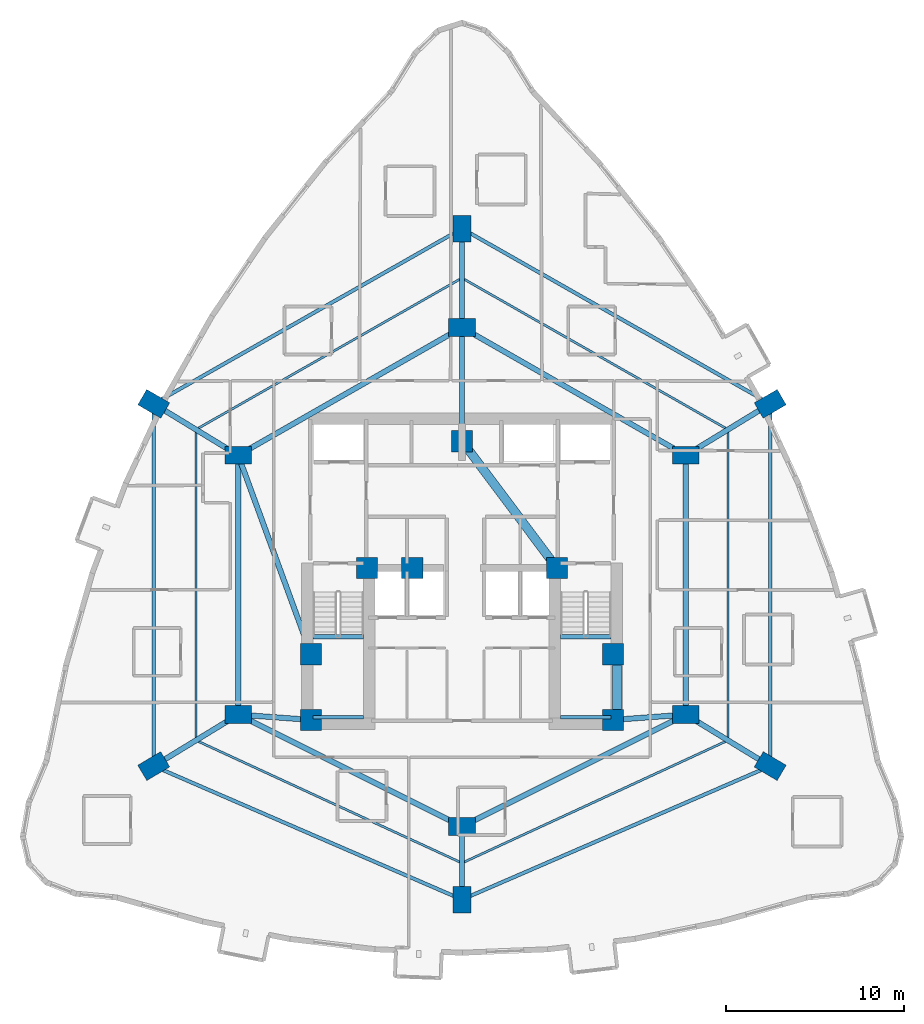
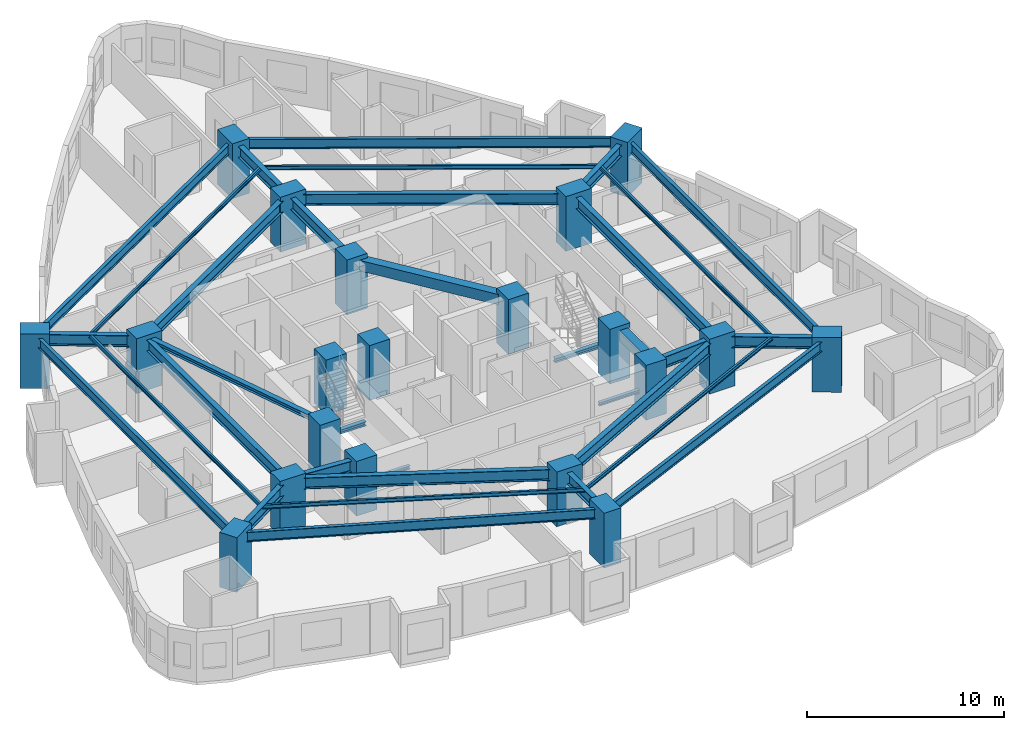
# One storey, part 1 of 13: 34 beams, 20 columns.
"""IFC4 building model written with IfcOpenShell, lengths in metres."""

from ifc_helpers import new_model, si_unit, direction, frame, origin, origin_2d, place, context, subcontext, project, spatial, rectangle, i_section, extrude, material, material_profile, profile_set, type_object, element, save


model = new_model("IFC4")

# Units and contexts
model_context = context("Model", 3, precision=1e-05, world=origin(), true_north=direction((0.0, 1.0)))
body_context = subcontext(model_context, "Body", "Model", "MODEL_VIEW")
ifc_project = project(units=[si_unit("LENGTHUNIT", "METRE"), si_unit("AREAUNIT", "SQUARE_METRE"), si_unit("VOLUMEUNIT", "CUBIC_METRE"), si_unit("PLANEANGLEUNIT", "RADIAN"), si_unit("MASSUNIT", "GRAM", prefix="KILO")], contexts=[model_context])

# Site, building, storey
site_placement = place(None, origin())
site = spatial("IfcSite", under=ifc_project, at=site_placement, CompositionType="ELEMENT")
building_placement = place(site_placement, origin())
building = spatial("IfcBuilding", under=site, at=building_placement, Name="Miruveldt Soraemaru", CompositionType="ELEMENT")
storey_placement = place(building_placement, frame((0.0, 0.0, 46.199951171875)))
storey = spatial("IfcBuildingStorey", under=building, at=storey_placement, Name="L12", CompositionType="ELEMENT", Elevation=46.199951171875)

# Columns
ifc_material_1 = material(Name="Concrete C70/85 (70 MPa)", Category="concrete")
ifc_material_profile_1 = material_profile(ifc_material_1, rectangle(XDim=1.199951171875, YDim=1.199951171875, at=origin_2d()), Name="Concrete C70/85 (70 MPa)", Category="concrete")
ifc_profile_set_1 = profile_set([ifc_material_profile_1], Name="Concrete C70/85 (70 MPa)")
column_type_1 = type_object("IfcColumnType", Name="COL-CORE-1200", PredefinedType="COLUMN", material=ifc_profile_set_1)
for number, where, z_axis, x_axis, name in (
    (1, (35.5, 35.5, 0.0), (0.0, 0.0, 1.0), (1.0, 0.0, 0.0), "L12 Structural Column CC1"),
    (2, (38.64990234375, 44.050048828125, 0.0), (0.0, 0.0, 1.0), (1.0, 0.0, 0.0), "L12 Structural Column CC2"),
    (3, (52.5, 35.5, 0.0), (0.0, 0.0, 1.0), (1.0, 0.0, 0.0), "L12 Structural Column CC3"),
    (4, (52.5, 39.199951171875, 0.0), (0.0, 0.0, 1.0), (1.0, 0.0, 0.0), "L12 Structural Column CC4"),
    (5, (49.35009765625, 44.050048828125, 0.0), (0.0, 0.0, 1.0), (1.0, 0.0, 0.0), "L12 Structural Column CC5"),
    (6, (44.0, 51.199951171875, 0.0), (0.0, 0.0, 1.0), (1.0, 0.0, 0.0), "L12 Structural Column CC6"),
    (7, (35.5, 39.199951171875, 0.0), (0.0, 0.0, 1.0), (1.0, 0.0, 0.0), "L12 Structural Column CC7"),
    (8, (41.199951171875, 44.050048828125, 0.0), (0.0, 0.0, 1.0), (1.0, 0.0, 0.0), "L12 Structural Column CC8"),
):
    element("IfcColumn", number, at=place(storey_placement, frame(where, z_axis=z_axis, x_axis=x_axis)), inside=storey, type_object=column_type_1, Name=name, PredefinedType="COLUMN", context=body_context, shape_type="SweptSolid", body=[
        extrude(rectangle(XDim=1.199951171875, YDim=1.199951171875, at=origin_2d()), origin(), (0.0, 0.0, 1.0), 3.400146484375),
    ])
ifc_material_2 = material(Name="Concrete C80/95 (80 MPa)", Category="concrete")
ifc_material_profile_2 = material_profile(ifc_material_2, rectangle(XDim=1.5, YDim=1.0, at=origin_2d()), Name="Concrete C80/95 (80 MPa)", Category="concrete")
ifc_profile_set_2 = profile_set([ifc_material_profile_2], Name="Concrete C80/95 (80 MPa)")
column_type_2 = type_object("IfcColumnType", Name="COL-TW-Z1A", PredefinedType="COLUMN", material=ifc_profile_set_2)
for number, where, z_axis, x_axis, name in (
    (9, (44.0, 57.60009765625, 0.0), (0.0, 0.0, 1.0), (1.0, 0.0, 0.0), "L12 Structural Column IR01"),
    (10, (56.60009765625, 50.39990234375, 0.0), (0.0, 0.0, 1.0), (1.0, 0.0, 0.0), "L12 Structural Column IR02"),
    (11, (56.60009765625, 35.800048828125, 0.0), (0.0, 0.0, 1.0), (1.0, 0.0, 0.0), "L12 Structural Column IR03"),
    (12, (44.0, 29.5, 0.0), (0.0, 0.0, 1.0), (1.0, 0.0, 0.0), "L12 Structural Column IR04"),
    (13, (31.39990234375, 35.800048828125, 0.0), (0.0, 0.0, 1.0), (1.0, 0.0, 0.0), "L12 Structural Column IR05"),
    (14, (31.39990234375, 50.39990234375, 0.0), (0.0, 0.0, 1.0), (1.0, 0.0, 0.0), "L12 Structural Column IR06"),
    (15, (44.0, 63.16796875, 0.0), (0.0, 0.0, 1.0), (0.0, 1.0, 0.0), "L12 Structural Column Z1P01"),
    (16, (61.35595703125, 53.300048828125, 0.0), (0.0, 0.0, 1.0), (0.864274801954, 0.50301994663, 0.0), "L12 Structural Column Z1P02"),
    (17, (61.35595703125, 32.89990234375, 0.0), (0.0, 0.0, 1.0), (-0.859852271597, 0.510542917912, 0.0), "L12 Structural Column Z1P03"),
    (18, (44.0, 25.382080078125, 0.0), (0.0, 0.0, 1.0), (0.0, 1.0, 0.0), "L12 Structural Column Z1P04"),
    (19, (26.64404296875, 32.89990234375, 0.0), (0.0, 0.0, 1.0), (0.859852271597, 0.510542917912, 0.0), "L12 Structural Column Z1P05"),
    (20, (26.64404296875, 53.300048828125, 0.0), (0.0, 0.0, 1.0), (-0.864274801954, 0.50301994663, 0.0), "L12 Structural Column Z1P06"),
):
    element("IfcColumn", number, at=place(storey_placement, frame(where, z_axis=z_axis, x_axis=x_axis)), inside=storey, type_object=column_type_2, Name=name, PredefinedType="COLUMN", context=body_context, shape_type="SweptSolid", body=[
        extrude(rectangle(XDim=1.5, YDim=1.0, at=origin_2d()), origin(), (0.0, 0.0, 1.0), 3.400146484375),
    ])

# Beams
ifc_material_3 = material(Name="Steel SM355 (355 MPa)", Category="steel")
ifc_material_profile_3 = material_profile(ifc_material_3, i_section(OverallWidth=0.300048828125, OverallDepth=0.300048828125, WebThickness=0.010009765625, FlangeThickness=0.014892578125, FilletRadius=0.01806640625, at=origin_2d()), Name="Steel SM355 (355 MPa)", Category="steel")
ifc_profile_set_3 = profile_set([ifc_material_profile_3], Name="Steel SM355 (355 MPa)")
beam_type_1 = type_object("IfcBeamType", Name="BM-LNT-H300", PredefinedType="LINTEL", material=ifc_profile_set_3)
beam_1_placement = place(storey_placement, frame((31.39990234375, 50.39990234375, 2.97509765625), z_axis=(0.343770424598, -0.939053723262, 0.0), x_axis=(0.939053723262, 0.343770424598, 0.0)))
element("IfcBeam", 21, at=beam_1_placement, inside=storey, type_object=beam_type_1, Name="L12 West Lobby Lintel", PredefinedType="LINTEL", context=body_context, shape_type="SweptSolid", body=[
    extrude(i_section(OverallWidth=0.300048828125, OverallDepth=0.300048828125, WebThickness=0.010009765625, FlangeThickness=0.014892578125, FilletRadius=0.01806640625, at=origin_2d()), origin(), (0.0, 0.0, 1.0), 11.9267578125),
])
ifc_material_4 = material(Name="Concrete C50/60 (50 MPa)", Category="concrete")
ifc_material_profile_4 = material_profile(ifc_material_4, rectangle(XDim=0.5, YDim=0.64990234375, at=origin_2d()), Name="Concrete C50/60 (50 MPa)", Category="concrete")
ifc_profile_set_4 = profile_set([ifc_material_profile_4], Name="Concrete C50/60 (50 MPa)")
beam_type_2 = type_object("IfcBeamType", Name="BM-RC-500x650", PredefinedType="BEAM", material=ifc_profile_set_4)
beam_2_placement = place(storey_placement, frame((52.72998046875, 35.5, 2.800048828125), z_axis=(0.0, 1.0, 0.0), x_axis=(-1.0, 0.0, 0.0)))
element("IfcBeam", 22, at=beam_2_placement, inside=storey, type_object=beam_type_2, Name="L12 Core Tie Beam 3", PredefinedType="BEAM", context=body_context, shape_type="SweptSolid", body=[
    extrude(rectangle(XDim=0.5, YDim=0.64990234375, at=origin_2d()), origin(), (0.0, 0.0, 1.0), 3.699951171875),
])
beam_3_placement = place(storey_placement, frame((49.35009765625, 44.050048828125, 2.800048828125), z_axis=(-0.599116023999, 0.800662219533, 0.0), x_axis=(-0.800662219533, -0.599116023999, 0.0)))
element("IfcBeam", 23, at=beam_3_placement, inside=storey, type_object=beam_type_2, Name="L12 Core Tie Beam 5", PredefinedType="BEAM", context=body_context, shape_type="SweptSolid", body=[
    extrude(rectangle(XDim=0.5, YDim=0.64990234375, at=origin_2d()), origin(), (0.0, 0.0, 1.0), 8.929931640625),
])
ifc_material_profile_5 = material_profile(ifc_material_3, i_section(OverallWidth=0.125, OverallDepth=0.25, WebThickness=0.006103515625, FlangeThickness=0.009033203125, FilletRadius=0.011962890625, at=origin_2d()), Name="Steel SM355 (355 MPa)", Category="steel")
ifc_profile_set_5 = profile_set([ifc_material_profile_5], Name="Steel SM355 (355 MPa)")
beam_type_3 = type_object("IfcBeamType", Name="BM-ST-H250", PredefinedType="JOIST", material=ifc_profile_set_5)
beam_4_placement = place(storey_placement, frame((44.0, 60.384033203125, 3.0), z_axis=(0.868865604585, -0.495048039254, 0.0), x_axis=(0.495048039254, 0.868865604585, 0.0)))
element("IfcBeam", 24, at=beam_4_placement, inside=storey, type_object=beam_type_3, Name="L12 Outer Bay Floor Joist 1", PredefinedType="JOIST", context=body_context, shape_type="SweptSolid", body=[
    extrude(i_section(OverallWidth=0.125, OverallDepth=0.25, WebThickness=0.006103515625, FlangeThickness=0.009033203125, FilletRadius=0.011962890625, at=origin_2d()), origin(), (0.0, 0.0, 1.0), 17.238525390625),
])
beam_5_placement = place(storey_placement, frame((58.97802734375, 51.85009765625, 3.0), z_axis=(0.0, -1.0, 0.0), x_axis=(1.0, 0.0, 0.0)))
element("IfcBeam", 25, at=beam_5_placement, inside=storey, type_object=beam_type_3, Name="L12 Outer Bay Floor Joist 2", PredefinedType="JOIST", context=body_context, shape_type="SweptSolid", body=[
    extrude(i_section(OverallWidth=0.125, OverallDepth=0.25, WebThickness=0.006103515625, FlangeThickness=0.009033203125, FilletRadius=0.011962890625, at=origin_2d()), origin(), (0.0, 0.0, 1.0), 17.5),
])
for number, where, z_axis, x_axis, name in (
    (26, (58.97802734375, 34.35009765625, 3.0), (-0.908046005539, -0.418870447543, 0.0), (0.418870447543, -0.908046005539, 0.0), "L12 Outer Bay Floor Joist 3"),
    (27, (44.0, 27.44091796875, 3.0), (-0.908046005539, 0.418870447543, 0.0), (-0.418870447543, -0.908046005539, 0.0), "L12 Outer Bay Floor Joist 4"),
):
    element("IfcBeam", number, at=place(storey_placement, frame(where, z_axis=z_axis, x_axis=x_axis)), inside=storey, type_object=beam_type_3, Name=name, PredefinedType="JOIST", context=body_context, shape_type="SweptSolid", body=[
        extrude(i_section(OverallWidth=0.125, OverallDepth=0.25, WebThickness=0.006103515625, FlangeThickness=0.009033203125, FilletRadius=0.011962890625, at=origin_2d()), origin(), (0.0, 0.0, 1.0), 16.494873046875),
    ])
beam_6_placement = place(storey_placement, frame((29.02197265625, 34.35009765625, 3.0), z_axis=(0.0, 1.0, 0.0), x_axis=(-1.0, 0.0, 0.0)))
element("IfcBeam", 28, at=beam_6_placement, inside=storey, type_object=beam_type_3, Name="L12 Outer Bay Floor Joist 5", PredefinedType="JOIST", context=body_context, shape_type="SweptSolid", body=[
    extrude(i_section(OverallWidth=0.125, OverallDepth=0.25, WebThickness=0.006103515625, FlangeThickness=0.009033203125, FilletRadius=0.011962890625, at=origin_2d()), origin(), (0.0, 0.0, 1.0), 17.5),
])
beam_7_placement = place(storey_placement, frame((29.02197265625, 51.85009765625, 3.0), z_axis=(0.868865604585, 0.495048039254, 0.0), x_axis=(-0.495048039254, 0.868865604585, 0.0)))
element("IfcBeam", 29, at=beam_7_placement, inside=storey, type_object=beam_type_3, Name="L12 Outer Bay Floor Joist 6", PredefinedType="JOIST", context=body_context, shape_type="SweptSolid", body=[
    extrude(i_section(OverallWidth=0.125, OverallDepth=0.25, WebThickness=0.006103515625, FlangeThickness=0.009033203125, FilletRadius=0.011962890625, at=origin_2d()), origin(), (0.0, 0.0, 1.0), 17.238525390625),
])
ifc_material_profile_6 = material_profile(ifc_material_3, i_section(OverallWidth=0.199951171875, OverallDepth=0.60009765625, WebThickness=0.010986328125, FlangeThickness=0.01708984375, FilletRadius=0.02197265625, at=origin_2d()), Name="Steel SM355 (355 MPa)", Category="steel")
ifc_profile_set_6 = profile_set([ifc_material_profile_6], Name="Steel SM355 (355 MPa)")
beam_type_4 = type_object("IfcBeamType", Name="BM-ST-H600", PredefinedType="SPANDREL", material=ifc_profile_set_6)
beam_8_placement = place(storey_placement, frame((44.0, 63.16796875, 2.824951171875), z_axis=(0.869314947608, -0.494258557706, 0.0), x_axis=(0.494258557706, 0.869314947608, 0.0)))
element("IfcBeam", 30, at=beam_8_placement, inside=storey, type_object=beam_type_4, Name="L12 Zone-1 Spandrel Beam 1", PredefinedType="SPANDREL", context=body_context, shape_type="SweptSolid", body=[
    extrude(i_section(OverallWidth=0.199951171875, OverallDepth=0.60009765625, WebThickness=0.010986328125, FlangeThickness=0.01708984375, FilletRadius=0.02197265625, at=origin_2d()), origin(), (0.0, 0.0, 1.0), 19.965087890625),
])
beam_9_placement = place(storey_placement, frame((61.35595703125, 53.300048828125, 2.824951171875), z_axis=(0.0, -1.0, 0.0), x_axis=(1.0, 0.0, 0.0)))
element("IfcBeam", 31, at=beam_9_placement, inside=storey, type_object=beam_type_4, Name="L12 Zone-1 Spandrel Beam 2", PredefinedType="SPANDREL", context=body_context, shape_type="SweptSolid", body=[
    extrude(i_section(OverallWidth=0.199951171875, OverallDepth=0.60009765625, WebThickness=0.010986328125, FlangeThickness=0.01708984375, FilletRadius=0.02197265625, at=origin_2d()), origin(), (0.0, 0.0, 1.0), 20.400146484375),
])
for number, where, z_axis, x_axis, name in (
    (32, (61.35595703125, 32.89990234375, 2.824951171875), (-0.917615263736, -0.397469782195, 0.0), (0.397469782195, -0.917615263736, 0.0), "L12 Zone-1 Spandrel Beam 3"),
    (33, (44.0, 25.382080078125, 2.824951171875), (-0.917615263736, 0.397469782195, 0.0), (-0.397469782195, -0.917615263736, 0.0), "L12 Zone-1 Spandrel Beam 4"),
):
    element("IfcBeam", number, at=place(storey_placement, frame(where, z_axis=z_axis, x_axis=x_axis)), inside=storey, type_object=beam_type_4, Name=name, PredefinedType="SPANDREL", context=body_context, shape_type="SweptSolid", body=[
        extrude(i_section(OverallWidth=0.199951171875, OverallDepth=0.60009765625, WebThickness=0.010986328125, FlangeThickness=0.01708984375, FilletRadius=0.02197265625, at=origin_2d()), origin(), (0.0, 0.0, 1.0), 18.914306640625),
    ])
beam_10_placement = place(storey_placement, frame((26.64404296875, 32.89990234375, 2.824951171875), z_axis=(0.0, 1.0, 0.0), x_axis=(-1.0, 0.0, 0.0)))
element("IfcBeam", 34, at=beam_10_placement, inside=storey, type_object=beam_type_4, Name="L12 Zone-1 Spandrel Beam 5", PredefinedType="SPANDREL", context=body_context, shape_type="SweptSolid", body=[
    extrude(i_section(OverallWidth=0.199951171875, OverallDepth=0.60009765625, WebThickness=0.010986328125, FlangeThickness=0.01708984375, FilletRadius=0.02197265625, at=origin_2d()), origin(), (0.0, 0.0, 1.0), 20.400146484375),
])
beam_11_placement = place(storey_placement, frame((26.64404296875, 53.300048828125, 2.824951171875), z_axis=(0.869314947608, 0.494258557706, 0.0), x_axis=(-0.494258557706, 0.869314947608, 0.0)))
element("IfcBeam", 35, at=beam_11_placement, inside=storey, type_object=beam_type_4, Name="L12 Zone-1 Spandrel Beam 6", PredefinedType="SPANDREL", context=body_context, shape_type="SweptSolid", body=[
    extrude(i_section(OverallWidth=0.199951171875, OverallDepth=0.60009765625, WebThickness=0.010986328125, FlangeThickness=0.01708984375, FilletRadius=0.02197265625, at=origin_2d()), origin(), (0.0, 0.0, 1.0), 19.965087890625),
])
ifc_material_profile_7 = material_profile(ifc_material_3, i_section(OverallWidth=0.300048828125, OverallDepth=0.699951171875, WebThickness=0.012939453125, FlangeThickness=0.02392578125, FilletRadius=0.028076171875, at=origin_2d()), Name="Steel SM355 (355 MPa)", Category="steel")
ifc_profile_set_7 = profile_set([ifc_material_profile_7], Name="Steel SM355 (355 MPa)")
beam_type_5 = type_object("IfcBeamType", Name="BM-ST-H700", PredefinedType="BEAM", material=ifc_profile_set_7)
beam_12_placement = place(storey_placement, frame((44.0, 57.60009765625, 2.775146484375), z_axis=(0.868239001029, -0.496146185203, 0.0), x_axis=(0.496146185203, 0.868239001029, 0.0)))
element("IfcBeam", 36, at=beam_12_placement, inside=storey, type_object=beam_type_5, Name="L12 Inner Ring Girder 1", PredefinedType="BEAM", context=body_context, shape_type="SweptSolid", body=[
    extrude(i_section(OverallWidth=0.300048828125, OverallDepth=0.699951171875, WebThickness=0.012939453125, FlangeThickness=0.02392578125, FilletRadius=0.028076171875, at=origin_2d()), origin(), (0.0, 0.0, 1.0), 14.51220703125),
])
beam_13_placement = place(storey_placement, frame((44.0, 51.199951171875, 2.775146484375), z_axis=(0.0, 1.0, 0.0), x_axis=(-1.0, 0.0, 0.0)))
element("IfcBeam", 37, at=beam_13_placement, inside=storey, type_object=beam_type_5, Name="L12 Core-to-Inner Radial Girder 1", PredefinedType="BEAM", context=body_context, shape_type="SweptSolid", body=[
    extrude(i_section(OverallWidth=0.300048828125, OverallDepth=0.699951171875, WebThickness=0.012939453125, FlangeThickness=0.02392578125, FilletRadius=0.028076171875, at=origin_2d()), origin(), (0.0, 0.0, 1.0), 6.400146484375),
])
beam_14_placement = place(storey_placement, frame((56.60009765625, 50.39990234375, 2.775146484375), z_axis=(0.0, -1.0, 0.0), x_axis=(1.0, 0.0, 0.0)))
element("IfcBeam", 38, at=beam_14_placement, inside=storey, type_object=beam_type_5, Name="L12 Inner Ring Girder 2", PredefinedType="BEAM", context=body_context, shape_type="SweptSolid", body=[
    extrude(i_section(OverallWidth=0.300048828125, OverallDepth=0.699951171875, WebThickness=0.012939453125, FlangeThickness=0.02392578125, FilletRadius=0.028076171875, at=origin_2d()), origin(), (0.0, 0.0, 1.0), 14.599853515625),
])
beam_15_placement = place(storey_placement, frame((56.60009765625, 35.800048828125, 2.775146484375), z_axis=(-0.894427191, -0.4472135955, 0.0), x_axis=(0.4472135955, -0.894427191, 0.0)))
element("IfcBeam", 39, at=beam_15_placement, inside=storey, type_object=beam_type_5, Name="L12 Inner Ring Girder 3", PredefinedType="BEAM", context=body_context, shape_type="SweptSolid", body=[
    extrude(i_section(OverallWidth=0.300048828125, OverallDepth=0.699951171875, WebThickness=0.012939453125, FlangeThickness=0.02392578125, FilletRadius=0.028076171875, at=origin_2d()), origin(), (0.0, 0.0, 1.0), 14.08740234375),
])
beam_16_placement = place(storey_placement, frame((52.5, 35.5, 2.775146484375), z_axis=(0.997332985605, 0.072985723431, 0.0), x_axis=(-0.072985723431, 0.997332985605, 0.0)))
element("IfcBeam", 40, at=beam_16_placement, inside=storey, type_object=beam_type_5, Name="L12 Core-to-Inner Radial Girder 3", PredefinedType="BEAM", context=body_context, shape_type="SweptSolid", body=[
    extrude(i_section(OverallWidth=0.300048828125, OverallDepth=0.699951171875, WebThickness=0.012939453125, FlangeThickness=0.02392578125, FilletRadius=0.028076171875, at=origin_2d()), origin(), (0.0, 0.0, 1.0), 4.111083984375),
])
beam_17_placement = place(storey_placement, frame((44.0, 29.5, 2.775146484375), z_axis=(-0.894427191, 0.4472135955, 0.0), x_axis=(-0.4472135955, -0.894427191, 0.0)))
element("IfcBeam", 41, at=beam_17_placement, inside=storey, type_object=beam_type_5, Name="L12 Inner Ring Girder 4", PredefinedType="BEAM", context=body_context, shape_type="SweptSolid", body=[
    extrude(i_section(OverallWidth=0.300048828125, OverallDepth=0.699951171875, WebThickness=0.012939453125, FlangeThickness=0.02392578125, FilletRadius=0.028076171875, at=origin_2d()), origin(), (0.0, 0.0, 1.0), 14.08740234375),
])
beam_18_placement = place(storey_placement, frame((31.39990234375, 35.800048828125, 2.775146484375), z_axis=(0.0, 1.0, 0.0), x_axis=(-1.0, 0.0, 0.0)))
element("IfcBeam", 42, at=beam_18_placement, inside=storey, type_object=beam_type_5, Name="L12 Inner Ring Girder 5", PredefinedType="BEAM", context=body_context, shape_type="SweptSolid", body=[
    extrude(i_section(OverallWidth=0.300048828125, OverallDepth=0.699951171875, WebThickness=0.012939453125, FlangeThickness=0.02392578125, FilletRadius=0.028076171875, at=origin_2d()), origin(), (0.0, 0.0, 1.0), 14.599853515625),
])
beam_19_placement = place(storey_placement, frame((35.5, 35.5, 2.775146484375), z_axis=(-0.997332985605, 0.072985723431, 0.0), x_axis=(-0.072985723431, -0.997332985605, 0.0)))
element("IfcBeam", 43, at=beam_19_placement, inside=storey, type_object=beam_type_5, Name="L12 Core-to-Inner Radial Girder 5", PredefinedType="BEAM", context=body_context, shape_type="SweptSolid", body=[
    extrude(i_section(OverallWidth=0.300048828125, OverallDepth=0.699951171875, WebThickness=0.012939453125, FlangeThickness=0.02392578125, FilletRadius=0.028076171875, at=origin_2d()), origin(), (0.0, 0.0, 1.0), 4.111083984375),
])
beam_20_placement = place(storey_placement, frame((31.39990234375, 50.39990234375, 2.775146484375), z_axis=(0.868239001029, 0.496146185203, 0.0), x_axis=(-0.496146185203, 0.868239001029, 0.0)))
element("IfcBeam", 44, at=beam_20_placement, inside=storey, type_object=beam_type_5, Name="L12 Inner Ring Girder 6", PredefinedType="BEAM", context=body_context, shape_type="SweptSolid", body=[
    extrude(i_section(OverallWidth=0.300048828125, OverallDepth=0.699951171875, WebThickness=0.012939453125, FlangeThickness=0.02392578125, FilletRadius=0.028076171875, at=origin_2d()), origin(), (0.0, 0.0, 1.0), 14.51220703125),
])
beam_21_placement = place(storey_placement, frame((44.0, 57.60009765625, 2.775146484375), z_axis=(0.0, 1.0, 0.0), x_axis=(-1.0, 0.0, 0.0)))
element("IfcBeam", 45, at=beam_21_placement, inside=storey, type_object=beam_type_5, Name="L12 Zone-1 Radial Girder 1", PredefinedType="BEAM", context=body_context, shape_type="SweptSolid", body=[
    extrude(i_section(OverallWidth=0.300048828125, OverallDepth=0.699951171875, WebThickness=0.012939453125, FlangeThickness=0.02392578125, FilletRadius=0.028076171875, at=origin_2d()), origin(), (0.0, 0.0, 1.0), 5.56787109375),
])
for number, where, z_axis, x_axis, name in (
    (46, (56.60009765625, 50.39990234375, 2.775146484375), (0.853777644156, 0.520637814935, 0.0), (-0.520637814935, 0.853777644156, 0.0), "L12 Zone-1 Radial Girder 2"),
    (47, (56.60009765625, 35.800048828125, 2.775146484375), (0.853777644156, -0.520637814935, 0.0), (0.520637814935, 0.853777644156, 0.0), "L12 Zone-1 Radial Girder 3"),
):
    element("IfcBeam", number, at=place(storey_placement, frame(where, z_axis=z_axis, x_axis=x_axis)), inside=storey, type_object=beam_type_5, Name=name, PredefinedType="BEAM", context=body_context, shape_type="SweptSolid", body=[
        extrude(i_section(OverallWidth=0.300048828125, OverallDepth=0.699951171875, WebThickness=0.012939453125, FlangeThickness=0.02392578125, FilletRadius=0.028076171875, at=origin_2d()), origin(), (0.0, 0.0, 1.0), 5.5703125),
    ])
beam_22_placement = place(storey_placement, frame((44.0, 29.5, 2.775146484375), z_axis=(0.0, -1.0, 0.0), x_axis=(1.0, 0.0, 0.0)))
element("IfcBeam", 48, at=beam_22_placement, inside=storey, type_object=beam_type_5, Name="L12 Zone-1 Radial Girder 4", PredefinedType="BEAM", context=body_context, shape_type="SweptSolid", body=[
    extrude(i_section(OverallWidth=0.300048828125, OverallDepth=0.699951171875, WebThickness=0.012939453125, FlangeThickness=0.02392578125, FilletRadius=0.028076171875, at=origin_2d()), origin(), (0.0, 0.0, 1.0), 4.117919921875),
])
for number, where, z_axis, x_axis, name in (
    (49, (31.39990234375, 35.800048828125, 2.775146484375), (-0.853777644156, -0.520637814935, 0.0), (0.520637814935, -0.853777644156, 0.0), "L12 Zone-1 Radial Girder 5"),
    (50, (31.39990234375, 50.39990234375, 2.775146484375), (-0.853777644156, 0.520637814935, 0.0), (-0.520637814935, -0.853777644156, 0.0), "L12 Zone-1 Radial Girder 6"),
):
    element("IfcBeam", number, at=place(storey_placement, frame(where, z_axis=z_axis, x_axis=x_axis)), inside=storey, type_object=beam_type_5, Name=name, PredefinedType="BEAM", context=body_context, shape_type="SweptSolid", body=[
        extrude(i_section(OverallWidth=0.300048828125, OverallDepth=0.699951171875, WebThickness=0.012939453125, FlangeThickness=0.02392578125, FilletRadius=0.028076171875, at=origin_2d()), origin(), (0.0, 0.0, 1.0), 5.5703125),
    ])
ifc_material_profile_8 = material_profile(ifc_material_3, i_section(OverallWidth=0.199951171875, OverallDepth=0.199951171875, WebThickness=0.008056640625, FlangeThickness=0.011962890625, FilletRadius=0.012939453125, at=origin_2d()), Name="Steel SM355 (355 MPa)", Category="steel")
ifc_profile_set_8 = profile_set([ifc_material_profile_8], Name="Steel SM355 (355 MPa)")
beam_type_6 = type_object("IfcBeamType", Name="BM-ST-LND200", PredefinedType="BEAM", material=ifc_profile_set_8)
for number, where, z_axis, x_axis, name in (
    (51, (35.60009765625, 35.64990234375, 1.400146484375), (1.0, 0.0, 0.0), (0.0, 1.0, 0.0), "L12 ST1 Landing End Beam 1B"),
    (52, (49.550048828125, 35.64990234375, 1.400146484375), (1.0, 0.0, 0.0), (0.0, 1.0, 0.0), "L12 ST2 Landing End Beam 1B"),
):
    element("IfcBeam", number, at=place(storey_placement, frame(where, z_axis=z_axis, x_axis=x_axis)), inside=storey, type_object=beam_type_6, Name=name, PredefinedType="BEAM", context=body_context, shape_type="SweptSolid", body=[
        extrude(i_section(OverallWidth=0.199951171875, OverallDepth=0.199951171875, WebThickness=0.008056640625, FlangeThickness=0.011962890625, FilletRadius=0.012939453125, at=origin_2d()), origin(), (0.0, 0.0, 1.0), 2.849853515625),
    ])
ifc_material_profile_9 = material_profile(ifc_material_3, i_section(OverallWidth=0.25, OverallDepth=0.25, WebThickness=0.009033203125, FlangeThickness=0.013916015625, FilletRadius=0.01611328125, at=origin_2d()), Name="Steel SM355 (355 MPa)", Category="steel")
ifc_profile_set_9 = profile_set([ifc_material_profile_9], Name="Steel SM355 (355 MPa)")
beam_type_7 = type_object("IfcBeamType", Name="BM-ST-LND250", PredefinedType="BEAM", material=ifc_profile_set_9)
for number, where, z_axis, x_axis, name in (
    (53, (35.60009765625, 40.179931640625, 1.375), (1.0, 0.0, 0.0), (0.0, 1.0, 0.0), "L12 ST1 Landing Support Beam 1A"),
    (54, (49.550048828125, 40.179931640625, 1.375), (1.0, 0.0, 0.0), (0.0, 1.0, 0.0), "L12 ST2 Landing Support Beam 1A"),
):
    element("IfcBeam", number, at=place(storey_placement, frame(where, z_axis=z_axis, x_axis=x_axis)), inside=storey, type_object=beam_type_7, Name=name, PredefinedType="BEAM", context=body_context, shape_type="SweptSolid", body=[
        extrude(i_section(OverallWidth=0.25, OverallDepth=0.25, WebThickness=0.009033203125, FlangeThickness=0.013916015625, FilletRadius=0.01611328125, at=origin_2d()), origin(), (0.0, 0.0, 1.0), 2.849853515625),
    ])

save(model, "model.ifc")
